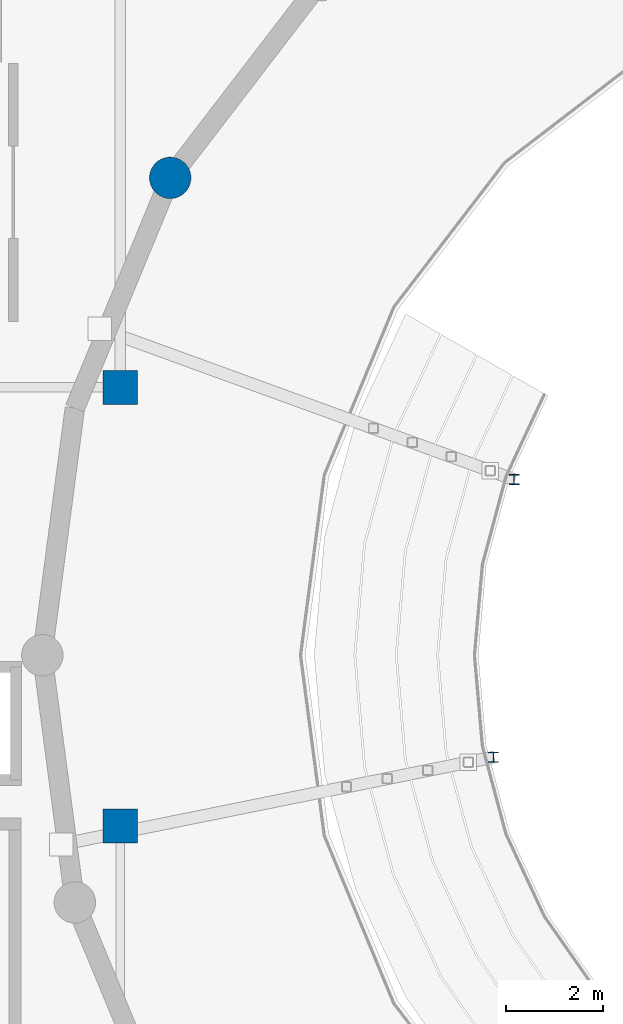
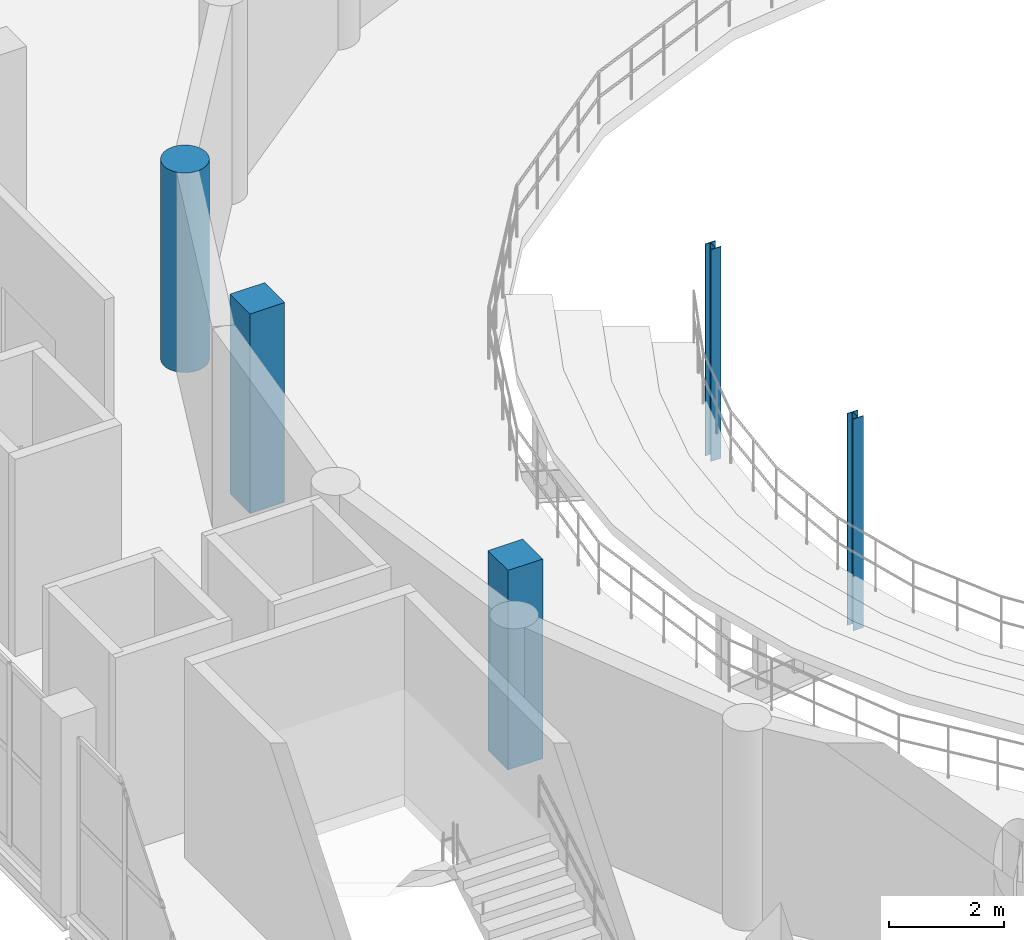
# One storey, part 9 of 73: 5 columns.
"""IFC4 building model written with IfcOpenShell, lengths in metres."""

from ifc_helpers import new_model, si_unit, direction, frame, origin, origin_2d, place, context, subcontext, project, spatial, rectangle, circle, i_section, extrude, material, material_profile, profile_set, type_object, element, save


model = new_model("IFC4")

# Units and contexts
model_context = context("Model", 3, precision=1e-05, world=origin(), true_north=direction((0.0, 1.0)))
body_context = subcontext(model_context, "Body", "Model", "MODEL_VIEW")
ifc_project = project(units=[si_unit("LENGTHUNIT", "METRE"), si_unit("AREAUNIT", "SQUARE_METRE"), si_unit("VOLUMEUNIT", "CUBIC_METRE"), si_unit("PLANEANGLEUNIT", "RADIAN"), si_unit("MASSUNIT", "GRAM", prefix="KILO")], contexts=[model_context])

# Site, building, storey
site_placement = place(None, origin())
site = spatial("IfcSite", under=ifc_project, at=site_placement, CompositionType="ELEMENT")
building_placement = place(site_placement, origin())
building = spatial("IfcBuilding", under=site, at=building_placement, Name="Marnock Terrace Opera House", CompositionType="ELEMENT")
storey_placement = place(building_placement, frame((0.0, 0.0, 14.699951171875)))
storey = spatial("IfcBuildingStorey", under=building, at=storey_placement, Name="L03", CompositionType="ELEMENT", Elevation=14.699951171875)

# Columns
ifc_material_1 = material(Name="Concrete N50 (f'c = 50 MPa)", Category="concrete")
ifc_material_profile_1 = material_profile(ifc_material_1, circle(Radius=0.425048828125, at=origin_2d()))
ifc_profile_set_1 = profile_set([ifc_material_profile_1], Name="Concrete N50 (f'c = 50 MPa)")
column_type_1 = type_object("IfcColumnType", Name="COL-DRUM-850", PredefinedType="COLUMN", material=ifc_profile_set_1)
column_placement = place(storey_placement, frame((65.02587890625, 70.300048828125, 0.0), z_axis=(0.0, 0.0, 1.0), x_axis=(1.0, 0.0, 0.0)))
element("IfcColumn", 1, at=column_placement, inside=storey, type_object=column_type_1, Name="L03 auditorium drum pier 11", PredefinedType="COLUMN", context=body_context, shape_type="SweptSolid", body=[
    extrude(circle(Radius=0.425048828125, at=origin_2d()), origin(), (0.0, 0.0, 1.0), 4.25),
])
ifc_material_2 = material(Name="Concrete N40 (f'c = 40 MPa)", Category="concrete")
ifc_material_profile_2 = material_profile(ifc_material_2, rectangle(XDim=0.699951171875, YDim=0.699951171875, at=origin_2d()))
ifc_profile_set_2 = profile_set([ifc_material_profile_2], Name="Concrete N40 (f'c = 40 MPa)")
column_type_2 = type_object("IfcColumnType", Name="COL-RC700", PredefinedType="COLUMN", material=ifc_profile_set_2)
for number, where, z_axis, x_axis, name in (
    (2, (64.0, 57.0, 0.0), (0.0, 0.0, 1.0), (1.0, 0.0, 0.0), "L03 column at (64.0, 57.0)"),
    (3, (64.0, 66.0, 0.0), (0.0, 0.0, 1.0), (1.0, 0.0, 0.0), "L03 column at (64.0, 66.0)"),
):
    element("IfcColumn", number, at=place(storey_placement, frame(where, z_axis=z_axis, x_axis=x_axis)), inside=storey, type_object=column_type_2, Name=name, PredefinedType="COLUMN", context=body_context, shape_type="SweptSolid", body=[
        extrude(rectangle(XDim=0.699951171875, YDim=0.699951171875, at=origin_2d()), origin(), (0.0, 0.0, 1.0), 4.25),
    ])
ifc_material_3 = material(Name="Steel Grade 350 (AS/NZS 3679.1)", Category="steel")
ifc_material_profile_3 = material_profile(ifc_material_3, i_section(OverallWidth=0.205078125, OverallDepth=0.209716796875, WebThickness=0.00927734375, FlangeThickness=0.01416015625, FilletRadius=0.011474609375, at=origin_2d()))
ifc_profile_set_3 = profile_set([ifc_material_profile_3], Name="Steel Grade 350 (AS/NZS 3679.1)")
column_type_3 = type_object("IfcColumnType", Name="COL-UC200", PredefinedType="COLUMN", material=ifc_profile_set_3)
for number, where, z_axis, x_axis, name in (
    (4, (72.086181640625, 64.1083984375, -0.81005859375), (0.0, 0.0, 1.0), (1.0, 0.0, 0.0), "L03 Auditorium balcony-front column 1"),
    (5, (71.6591796875, 58.40966796875, -0.81005859375), (0.0, 0.0, 1.0), (1.0, 0.0, 0.0), "L03 Auditorium balcony-front column 2"),
):
    element("IfcColumn", number, at=place(storey_placement, frame(where, z_axis=z_axis, x_axis=x_axis)), inside=storey, type_object=column_type_3, Name=name, PredefinedType="COLUMN", context=body_context, shape_type="SweptSolid", body=[
        extrude(i_section(OverallWidth=0.205078125, OverallDepth=0.209716796875, WebThickness=0.00927734375, FlangeThickness=0.01416015625, FilletRadius=0.011474609375, at=origin_2d()), origin(), (0.0, 0.0, 1.0), 4.510009765625),
    ])

save(model, "model.ifc")
